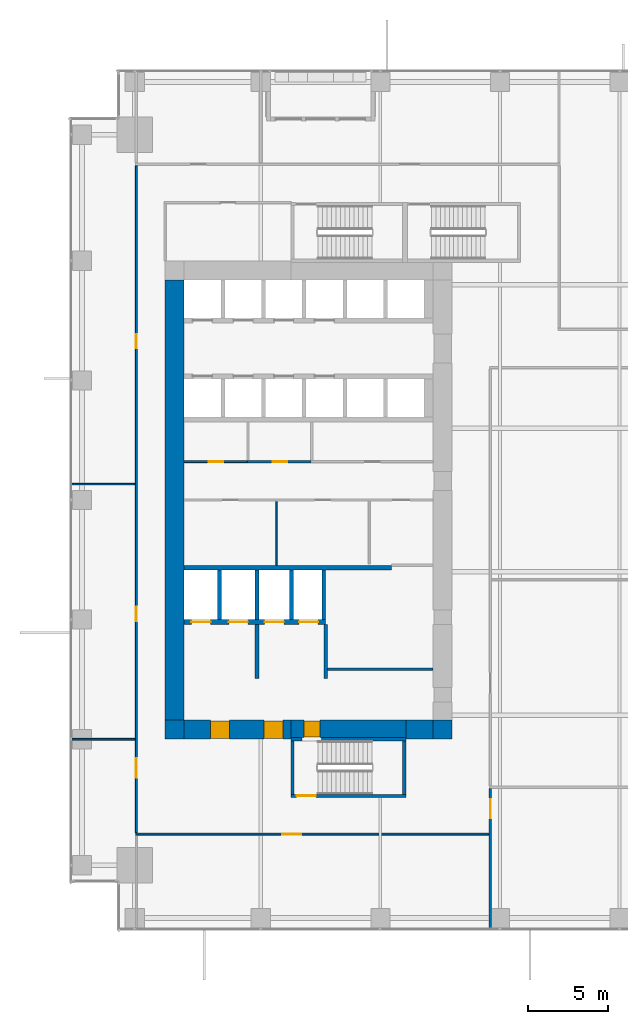
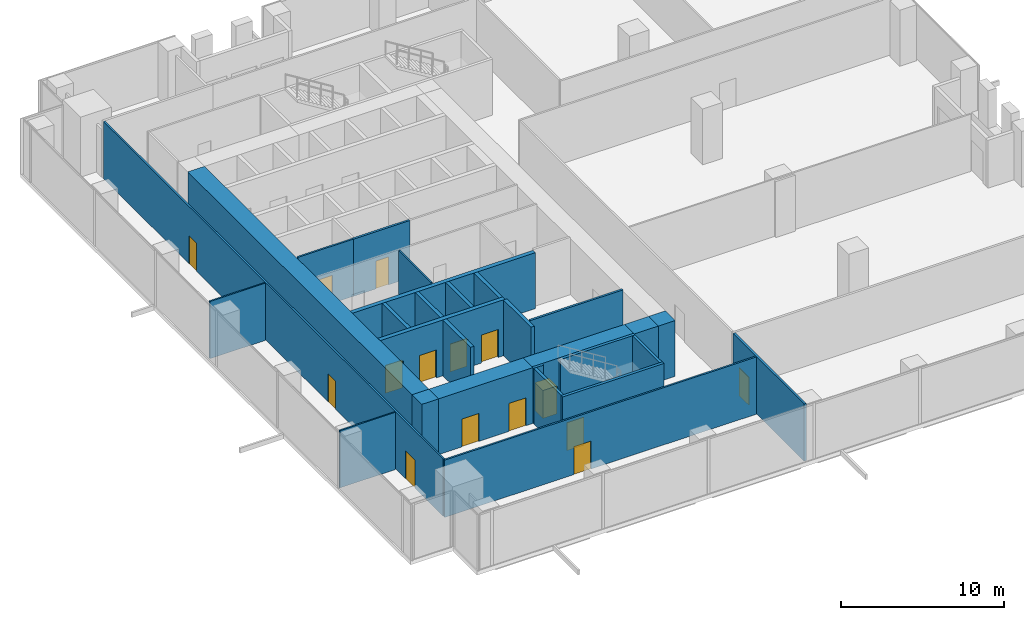
# One storey, part 27 of 33: 28 walls, 15 doors, 15 openings.
"""IFC4 building model written with IfcOpenShell, lengths in metres."""

from ifc_helpers import new_model, si_unit, direction, frame, frame_2d, origin, place, context, subcontext, project, spatial, rectangle, extrude, source, transform, mapped, material, layer, layer_set, type_object, element, fill, save


model = new_model("IFC4")

# Units and contexts
model_context = context("Model", 3, precision=1e-05, world=origin(), true_north=direction((0.0, 1.0)))
body_context = subcontext(model_context, "Body", "Model", "MODEL_VIEW")
ifc_project = project(units=[si_unit("LENGTHUNIT", "METRE"), si_unit("AREAUNIT", "SQUARE_METRE"), si_unit("VOLUMEUNIT", "CUBIC_METRE"), si_unit("PLANEANGLEUNIT", "RADIAN"), si_unit("MASSUNIT", "GRAM", prefix="KILO")], contexts=[model_context])

# Site, building, storey
site_placement = place(None, origin())
site = spatial("IfcSite", under=ifc_project, at=site_placement, CompositionType="ELEMENT")
building_placement = place(site_placement, origin())
building = spatial("IfcBuilding", under=site, at=building_placement, Name="Khomas Fold Tower", CompositionType="ELEMENT")
storey_placement = place(building_placement, frame((0.0, 0.0, 82.5)))
storey = spatial("IfcBuildingStorey", under=building, at=storey_placement, Name="L17", CompositionType="ELEMENT", Elevation=82.5)

# Wall, openings, doors
ifc_material_1 = material(Name="Concrete C70/85", Category="concrete")
ifc_layer_1 = layer(ifc_material_1, 1.199951171875)
ifc_layer_set_1 = layer_set([ifc_layer_1], Name="Concrete C70/85")
wall_type_1 = type_object("IfcWallType", Name="Core wall 1200", PredefinedType="SHEAR", material=ifc_layer_set_1)
shared_shape_1 = source(origin(), body_context, "Body", "SweptSolid", [
    extrude(rectangle(XDim=6.699951171875, YDim=1.199951171875, at=frame_2d((3.35009765625, 0.0))), origin(), (0.0, 0.0, 1.0), 4.199951171875),
])
wall_1_placement = place(storey_placement, frame((7.199951171875, 12.60009765625, 0.0), z_axis=(0.0, 0.0, 1.0), x_axis=(1.0, 0.0, 0.0)))
wall_1 = element("IfcWall", 1, at=wall_1_placement, inside=storey, type_object=wall_type_1, Name="Core wall CW-L-S-B2", PredefinedType="SHEAR", context=body_context, shape_type="MappedRepresentation", body=[
    mapped(shared_shape_1, transform((0.0, 0.0, 0.0))),
])
shared_shape_2 = source(origin(), body_context, "Body", "SweptSolid", [
    extrude(rectangle(XDim=1.199951171875, YDim=2.10009765625, at=frame_2d((0.60009765625, 1.050048828125))), frame((0.0, 0.60986328125, 0.0), z_axis=(0.0, -1.0, 0.0), x_axis=(1.0, 0.0, 0.0)), (0.0, 0.0, 1.0), 1.219970703125),
])
opening_1_placement = place(wall_1_placement, frame((5.0, 0.0, 0.0)))
opening_1 = element("IfcOpeningElement", 2, at=opening_1_placement, cuts=wall_1, Name="Opening 0009", PredefinedType="OPENING", context=body_context, shape_type="MappedRepresentation", body=[
    mapped(shared_shape_2, transform((0.0, 0.0, 0.0))),
])
opening_2_placement = place(wall_1_placement, frame((1.64990234375, 0.0, 0.0)))
opening_2 = element("IfcOpeningElement", 3, at=opening_2_placement, cuts=wall_1, Name="Opening 0009", PredefinedType="OPENING", context=body_context, shape_type="MappedRepresentation", body=[
    mapped(shared_shape_2, transform((0.0, 0.0, 0.0))),
])
ifc_material_2 = material(Name="Steel door leaf", Category="steel")
door_type_1 = type_object("IfcDoorType", Name="Lobby door 1200x2100 right-hand", OperationType="SINGLE_SWING_RIGHT", PredefinedType="DOOR", material=ifc_material_2)
shared_shape_3 = source(origin(), body_context, "Body", "SweptSolid", [
    extrude(rectangle(XDim=1.199951171875, YDim=2.10009765625, at=frame_2d((0.60009765625, 1.050048828125))), frame((0.0, 0.5498046875, 0.0), z_axis=(0.0, -1.0, 0.0), x_axis=(1.0, 0.0, 0.0)), (0.0, 0.0, 1.0), 1.099853515625),
])
door_1_placement = place(opening_1_placement, origin())
door_1 = element("IfcDoor", 4, at=door_1_placement, inside=storey, type_object=door_type_1, Name="Lobby door", OperationType="SINGLE_SWING_RIGHT", OverallHeight=2.10009765625, OverallWidth=1.199951171875, PredefinedType="DOOR", context=body_context, shape_type="MappedRepresentation", body=[
    mapped(shared_shape_3, transform((0.0, 0.0, 0.0))),
])
fill(opening_1, door_1)
door_2_placement = place(opening_2_placement, origin())
door_2 = element("IfcDoor", 5, at=door_2_placement, inside=storey, type_object=door_type_1, Name="Lobby door", OperationType="SINGLE_SWING_RIGHT", OverallHeight=2.10009765625, OverallWidth=1.199951171875, PredefinedType="DOOR", context=body_context, shape_type="MappedRepresentation", body=[
    mapped(shared_shape_3, transform((0.0, 0.0, 0.0))),
])
fill(opening_2, door_2)

# Walls
ifc_material_3 = material(Name="Concrete C70/85", Category="concrete")
ifc_layer_2 = layer(ifc_material_3, 1.199951171875)
ifc_layer_set_2 = layer_set([ifc_layer_2], Name="Concrete C70/85")
wall_type_2 = type_object("IfcWallType", Name="Core corner wall 1200", PredefinedType="SHEAR", material=ifc_layer_set_2)
shared_shape_4 = source(origin(), body_context, "Body", "SweptSolid", [
    extrude(rectangle(XDim=1.199951171875, YDim=1.199951171875, at=frame_2d((0.60009765625, 0.0))), origin(), (0.0, 0.0, 1.0), 4.199951171875),
])
for number, where, z_axis, x_axis, name in (
    (6, (22.800048828125, 12.60009765625, 0.0), (0.0, 0.0, 1.0), (1.0, 0.0, 0.0), "Core wall CW-L-SE-B2"),
    (7, (6.0, 12.60009765625, 0.0), (0.0, 0.0, 1.0), (1.0, 0.0, 0.0), "Core wall CW-L-SW-B2"),
):
    element("IfcWall", number, at=place(storey_placement, frame(where, z_axis=z_axis, x_axis=x_axis)), inside=storey, type_object=wall_type_2, Name=name, PredefinedType="SHEAR", context=body_context, shape_type="MappedRepresentation", body=[
        mapped(shared_shape_4, transform((0.0, 0.0, 0.0))),
    ])

# Wall, opening, door
ifc_material_4 = material(Name="Concrete C70/85", Category="concrete")
ifc_layer_3 = layer(ifc_material_4, 1.10009765625)
ifc_layer_set_3 = layer_set([ifc_layer_3], Name="Concrete C70/85")
wall_type_3 = type_object("IfcWallType", Name="Core wall 1100", PredefinedType="SHEAR", material=ifc_layer_set_3)
shared_shape_5 = source(origin(), body_context, "Body", "SweptSolid", [
    extrude(rectangle(XDim=7.2001953125, YDim=1.10009765625, at=frame_2d((3.60009765625, 0.0))), origin(), (0.0, 0.0, 1.0), 4.199951171875),
])
wall_2_placement = place(storey_placement, frame((13.89990234375, 12.64990234375, 0.0), z_axis=(0.0, 0.0, 1.0), x_axis=(1.0, 0.0, 0.0)))
wall_2 = element("IfcWall", 8, at=wall_2_placement, inside=storey, type_object=wall_type_3, Name="Core wall CW-L-S-B2-1", PredefinedType="SHEAR", context=body_context, shape_type="MappedRepresentation", body=[
    mapped(shared_shape_5, transform((0.0, 0.0, 0.0))),
])
shared_shape_6 = source(origin(), body_context, "Body", "SweptSolid", [
    extrude(rectangle(XDim=1.0, YDim=2.10009765625, at=frame_2d((0.5, 1.050048828125))), frame((0.0, 0.56005859375, 0.0), z_axis=(0.0, -1.0, 0.0), x_axis=(1.0, 0.0, 0.0)), (0.0, 0.0, 1.0), 1.1201171875),
])
opening_3_placement = place(wall_2_placement, frame((0.800048828125, 0.0, 0.0)))
opening_3 = element("IfcOpeningElement", 9, at=opening_3_placement, cuts=wall_2, Name="Opening 0010", PredefinedType="OPENING", context=body_context, shape_type="MappedRepresentation", body=[
    mapped(shared_shape_6, transform((0.0, 0.0, 0.0))),
])
ifc_material_5 = material(Name="Steel door leaf", Category="steel")
door_type_2 = type_object("IfcDoorType", Name="Stair door 1000x2100 right-hand", OperationType="SINGLE_SWING_RIGHT", PredefinedType="DOOR", material=ifc_material_5)
shared_shape_7 = source(origin(), body_context, "Body", "SweptSolid", [
    extrude(rectangle(XDim=1.0, YDim=2.10009765625, at=frame_2d((0.5, 1.050048828125))), frame((0.0, 0.5, 0.0), z_axis=(0.0, -1.0, 0.0), x_axis=(1.0, 0.0, 0.0)), (0.0, 0.0, 1.0), 1.0),
])
door_3_placement = place(opening_3_placement, origin())
door_3 = element("IfcDoor", 10, at=door_3_placement, inside=storey, type_object=door_type_2, Name="Stair door", OperationType="SINGLE_SWING_RIGHT", OverallHeight=2.10009765625, OverallWidth=1.0, PredefinedType="DOOR", context=body_context, shape_type="MappedRepresentation", body=[
    mapped(shared_shape_7, transform((0.0, 0.0, 0.0))),
])
fill(opening_3, door_3)

# Walls
shared_shape_8 = source(origin(), body_context, "Body", "SweptSolid", [
    extrude(rectangle(XDim=1.699951171875, YDim=1.199951171875, at=frame_2d((0.85009765625, 0.0))), origin(), (0.0, 0.0, 1.0), 4.199951171875),
])
wall_3_placement = place(storey_placement, frame((21.10009765625, 12.60009765625, 0.0), z_axis=(0.0, 0.0, 1.0), x_axis=(1.0, 0.0, 0.0)))
element("IfcWall", 11, at=wall_3_placement, inside=storey, type_object=wall_type_1, Name="Core wall CW-L-S-B2-2", PredefinedType="SHEAR", context=body_context, shape_type="MappedRepresentation", body=[
    mapped(shared_shape_8, transform((0.0, 0.0, 0.0))),
])
shared_shape_9 = source(origin(), body_context, "Body", "SweptSolid", [
    extrude(rectangle(XDim=27.60009765625, YDim=1.199951171875, at=frame_2d((13.800048828125, 0.0))), origin(), (0.0, 0.0, 1.0), 4.199951171875),
])
wall_4_placement = place(storey_placement, frame((6.60009765625, 13.199951171875, 0.0), z_axis=(0.0, 0.0, 1.0), x_axis=(0.0, 1.0, 0.0)))
element("IfcWall", 12, at=wall_4_placement, inside=storey, type_object=wall_type_1, Name="Core wall CW-L-W-B2", PredefinedType="SHEAR", context=body_context, shape_type="MappedRepresentation", body=[
    mapped(shared_shape_9, transform((0.0, 0.0, 0.0))),
])
ifc_material_6 = material(Name="Concrete C50/60", Category="concrete")
ifc_layer_4 = layer(ifc_material_6, 0.199951171875)
ifc_layer_set_4 = layer_set([ifc_layer_4], Name="Concrete C50/60")
wall_type_4 = type_object("IfcWallType", Name="Stair wall 200", PredefinedType="SHEAR", material=ifc_layer_set_4)
shared_shape_10 = source(origin(), body_context, "Body", "SweptSolid", [
    extrude(rectangle(XDim=0.7001953125, YDim=0.199951171875, at=frame_2d((0.35009765625, 0.0))), origin(), (0.0, 0.0, 1.0), 4.199951171875),
])
wall_5_placement = place(storey_placement, frame((13.89990234375, 12.0, 0.0), z_axis=(0.0, 0.0, 1.0), x_axis=(1.0, 0.0, 0.0)))
element("IfcWall", 13, at=wall_5_placement, inside=storey, type_object=wall_type_4, Name="Stair wall SW-ST2-N", PredefinedType="SHEAR", context=body_context, shape_type="MappedRepresentation", body=[
    mapped(shared_shape_10, transform((0.0, 0.0, 0.0))),
])
shared_shape_11 = source(origin(), body_context, "Body", "SweptSolid", [
    extrude(rectangle(XDim=5.300048828125, YDim=0.199951171875, at=frame_2d((2.64990234375, 0.0))), origin(), (0.0, 0.0, 1.0), 4.199951171875),
])
wall_6_placement = place(storey_placement, frame((15.800048828125, 12.0, 0.0), z_axis=(0.0, 0.0, 1.0), x_axis=(1.0, 0.0, 0.0)))
element("IfcWall", 14, at=wall_6_placement, inside=storey, type_object=wall_type_4, Name="Stair wall SW-ST2-NB", PredefinedType="SHEAR", context=body_context, shape_type="MappedRepresentation", body=[
    mapped(shared_shape_11, transform((0.0, 0.0, 0.0))),
])

# Wall, opening, door
shared_shape_12 = source(origin(), body_context, "Body", "SweptSolid", [
    extrude(rectangle(XDim=7.2001953125, YDim=0.199951171875, at=frame_2d((3.60009765625, 0.0))), origin(), (0.0, 0.0, 1.0), 4.199951171875),
])
wall_7_placement = place(storey_placement, frame((13.89990234375, 8.449951171875, 0.0), z_axis=(0.0, 0.0, 1.0), x_axis=(1.0, 0.0, 0.0)))
wall_7 = element("IfcWall", 15, at=wall_7_placement, inside=storey, type_object=wall_type_4, Name="Stair wall SW-ST2-S", PredefinedType="SHEAR", context=body_context, shape_type="MappedRepresentation", body=[
    mapped(shared_shape_12, transform((0.0, 0.0, 0.0))),
])
shared_shape_13 = source(origin(), body_context, "Body", "SweptSolid", [
    extrude(rectangle(XDim=1.199951171875, YDim=2.10009765625, at=frame_2d((0.60009765625, 1.050048828125))), frame((0.0, 0.10986328125, 0.0), z_axis=(0.0, -1.0, 0.0), x_axis=(1.0, 0.0, 0.0)), (0.0, 0.0, 1.0), 0.219970703125),
])
opening_4_placement = place(wall_7_placement, frame((0.35009765625, 0.0, 0.0)))
opening_4 = element("IfcOpeningElement", 16, at=opening_4_placement, cuts=wall_7, Name="Opening SD-ST2", PredefinedType="OPENING", context=body_context, shape_type="MappedRepresentation", body=[
    mapped(shared_shape_13, transform((0.0, 0.0, 0.0))),
])
ifc_material_7 = material(Name="Steel door leaf", Category="steel")
door_type_3 = type_object("IfcDoorType", Name="Stair door 1200x2100 right-hand", OperationType="SINGLE_SWING_RIGHT", PredefinedType="DOOR", material=ifc_material_7)
shared_shape_14 = source(origin(), body_context, "Body", "SweptSolid", [
    extrude(rectangle(XDim=1.199951171875, YDim=2.10009765625, at=frame_2d((0.60009765625, 1.050048828125))), frame((0.0, 0.02490234375, 0.0), z_axis=(0.0, -1.0, 0.0), x_axis=(1.0, 0.0, 0.0)), (0.0, 0.0, 1.0), 0.050048828125),
])
door_4_placement = place(opening_4_placement, origin())
door_4 = element("IfcDoor", 17, at=door_4_placement, inside=storey, type_object=door_type_3, Name="Stair door", OperationType="SINGLE_SWING_RIGHT", OverallHeight=2.10009765625, OverallWidth=1.199951171875, PredefinedType="DOOR", context=body_context, shape_type="MappedRepresentation", body=[
    mapped(shared_shape_14, transform((0.0, 0.0, 0.0))),
])
fill(opening_4, door_4)

# Walls
shared_shape_15 = source(origin(), body_context, "Body", "SweptSolid", [
    extrude(rectangle(XDim=3.349853515625, YDim=0.199951171875, at=frame_2d((1.6748046875, 0.0))), origin(), (0.0, 0.0, 1.0), 4.199951171875),
])
for number, where, z_axis, x_axis, name in (
    (18, (21.0, 8.550048828125, 0.0), (0.0, 0.0, 1.0), (0.0, 1.0, 0.0), "Stair wall SW-ST2-E"),
    (19, (14.0, 8.550048828125, 0.0), (0.0, 0.0, 1.0), (0.0, 1.0, 0.0), "Stair wall SW-ST2-W"),
):
    element("IfcWall", number, at=place(storey_placement, frame(where, z_axis=z_axis, x_axis=x_axis)), inside=storey, type_object=wall_type_4, Name=name, PredefinedType="SHEAR", context=body_context, shape_type="MappedRepresentation", body=[
        mapped(shared_shape_15, transform((0.0, 0.0, 0.0))),
    ])
ifc_material_8 = material(Name="Concrete C50/60", Category="concrete")
ifc_layer_5 = layer(ifc_material_8, 0.300048828125)
ifc_layer_set_5 = layer_set([ifc_layer_5], Name="Concrete C50/60")
wall_type_5 = type_object("IfcWallType", Name="Shaft wall 300", PredefinedType="STANDARD", material=ifc_layer_set_5)
shared_shape_16 = source(origin(), body_context, "Body", "SweptSolid", [
    extrude(rectangle(XDim=13.0, YDim=0.300048828125, at=frame_2d((6.5, 0.0))), origin(), (0.0, 0.0, 1.0), 4.199951171875),
])
wall_8_placement = place(storey_placement, frame((7.199951171875, 22.75, 0.0), z_axis=(0.0, 0.0, 1.0), x_axis=(1.0, 0.0, 0.0)))
element("IfcWall", 20, at=wall_8_placement, inside=storey, type_object=wall_type_5, Name="Core wall SW-FS-B", PredefinedType="STANDARD", context=body_context, shape_type="MappedRepresentation", body=[
    mapped(shared_shape_16, transform((0.0, 0.0, 0.0))),
])

# Wall, openings, doors
shared_shape_17 = source(origin(), body_context, "Body", "SweptSolid", [
    extrude(rectangle(XDim=8.875, YDim=0.300048828125, at=frame_2d((4.4375, 0.0))), origin(), (0.0, 0.0, 1.0), 4.199951171875),
])
wall_9_placement = place(storey_placement, frame((7.199951171875, 19.35009765625, 0.0), z_axis=(0.0, 0.0, 1.0), x_axis=(1.0, 0.0, 0.0)))
wall_9 = element("IfcWall", 21, at=wall_9_placement, inside=storey, type_object=wall_type_5, Name="Core wall SW-FS-F", PredefinedType="STANDARD", context=body_context, shape_type="MappedRepresentation", body=[
    mapped(shared_shape_17, transform((0.0, 0.0, 0.0))),
])
shared_shape_18 = source(origin(), body_context, "Body", "SweptSolid", [
    extrude(rectangle(XDim=1.199951171875, YDim=2.10009765625, at=frame_2d((0.60009765625, 1.050048828125))), frame((0.0, 0.159912109375, 0.0), z_axis=(0.0, -1.0, 0.0), x_axis=(1.0, 0.0, 0.0)), (0.0, 0.0, 1.0), 0.320068359375),
])
opening_5_placement = place(wall_9_placement, frame((0.449951171875, 0.0, 0.0)))
opening_5 = element("IfcOpeningElement", 22, at=opening_5_placement, cuts=wall_9, Name="Opening LD-SV1", PredefinedType="OPENING", context=body_context, shape_type="MappedRepresentation", body=[
    mapped(shared_shape_18, transform((0.0, 0.0, 0.0))),
])
opening_6_placement = place(wall_9_placement, frame((2.800048828125, 0.0, 0.0)))
opening_6 = element("IfcOpeningElement", 23, at=opening_6_placement, cuts=wall_9, Name="Opening LD-SV2", PredefinedType="OPENING", context=body_context, shape_type="MappedRepresentation", body=[
    mapped(shared_shape_18, transform((0.0, 0.0, 0.0))),
])
opening_7_placement = place(wall_9_placement, frame((5.050048828125, 0.0, 0.0)))
opening_7 = element("IfcOpeningElement", 24, at=opening_7_placement, cuts=wall_9, Name="Opening LD-FF1", PredefinedType="OPENING", context=body_context, shape_type="MappedRepresentation", body=[
    mapped(shared_shape_18, transform((0.0, 0.0, 0.0))),
])
opening_8_placement = place(wall_9_placement, frame((7.199951171875, 0.0, 0.0)))
opening_8 = element("IfcOpeningElement", 25, at=opening_8_placement, cuts=wall_9, Name="Opening LD-FF2", PredefinedType="OPENING", context=body_context, shape_type="MappedRepresentation", body=[
    mapped(shared_shape_18, transform((0.0, 0.0, 0.0))),
])
ifc_material_9 = material(Name="Steel door leaf", Category="steel")
door_type_4 = type_object("IfcDoorType", Name="Landing door 1200x2100", OperationType="DOUBLE_DOOR_SLIDING", PredefinedType="DOOR", material=ifc_material_9)
door_5_placement = place(opening_5_placement, origin())
door_5 = element("IfcDoor", 26, at=door_5_placement, inside=storey, type_object=door_type_4, Name="Lift landing door", OperationType="DOUBLE_DOOR_SLIDING", OverallHeight=2.10009765625, OverallWidth=1.199951171875, PredefinedType="DOOR", context=body_context, shape_type="MappedRepresentation", body=[
    mapped(shared_shape_14, transform((0.0, 0.0, 0.0))),
])
fill(opening_5, door_5)
door_6_placement = place(opening_6_placement, origin())
door_6 = element("IfcDoor", 27, at=door_6_placement, inside=storey, type_object=door_type_4, Name="Lift landing door", OperationType="DOUBLE_DOOR_SLIDING", OverallHeight=2.10009765625, OverallWidth=1.199951171875, PredefinedType="DOOR", context=body_context, shape_type="MappedRepresentation", body=[
    mapped(shared_shape_14, transform((0.0, 0.0, 0.0))),
])
fill(opening_6, door_6)
door_7_placement = place(opening_7_placement, origin())
door_7 = element("IfcDoor", 28, at=door_7_placement, inside=storey, type_object=door_type_4, Name="Lift landing door", OperationType="DOUBLE_DOOR_SLIDING", OverallHeight=2.10009765625, OverallWidth=1.199951171875, PredefinedType="DOOR", context=body_context, shape_type="MappedRepresentation", body=[
    mapped(shared_shape_14, transform((0.0, 0.0, 0.0))),
])
fill(opening_7, door_7)
door_8_placement = place(opening_8_placement, origin())
door_8 = element("IfcDoor", 29, at=door_8_placement, inside=storey, type_object=door_type_4, Name="Lift landing door", OperationType="DOUBLE_DOOR_SLIDING", OverallHeight=2.10009765625, OverallWidth=1.199951171875, PredefinedType="DOOR", context=body_context, shape_type="MappedRepresentation", body=[
    mapped(shared_shape_14, transform((0.0, 0.0, 0.0))),
])
fill(opening_8, door_8)

# Walls
ifc_material_10 = material(Name="Concrete C50/60", Category="concrete")
ifc_layer_6 = layer(ifc_material_10, 0.25)
ifc_layer_set_6 = layer_set([ifc_layer_6], Name="Concrete C50/60")
wall_type_6 = type_object("IfcWallType", Name="Shaft wall 250", PredefinedType="STANDARD", material=ifc_layer_set_6)
shared_shape_19 = source(origin(), body_context, "Body", "SweptSolid", [
    extrude(rectangle(XDim=3.10009765625, YDim=0.25, at=frame_2d((1.550048828125, 0.0))), origin(), (0.0, 0.0, 1.0), 4.199951171875),
])
for number, where, z_axis, x_axis, name in (
    (30, (9.425048828125, 19.5, 0.0), (0.0, 0.0, 1.0), (0.0, 1.0, 0.0), "Core wall SW-FS-P1"),
    (31, (11.77490234375, 19.5, 0.0), (0.0, 0.0, 1.0), (0.0, 1.0, 0.0), "Core wall SW-FS-P2"),
    (32, (13.925048828125, 19.5, 0.0), (0.0, 0.0, 1.0), (0.0, 1.0, 0.0), "Core wall SW-FS-P3"),
    (33, (15.949951171875, 19.5, 0.0), (0.0, 0.0, 1.0), (0.0, 1.0, 0.0), "Core wall SW-FS-PE"),
):
    element("IfcWall", number, at=place(storey_placement, frame(where, z_axis=z_axis, x_axis=x_axis)), inside=storey, type_object=wall_type_6, Name=name, PredefinedType="STANDARD", context=body_context, shape_type="MappedRepresentation", body=[
        mapped(shared_shape_19, transform((0.0, 0.0, 0.0))),
    ])
ifc_material_11 = material(Name="Concrete C50/60", Category="concrete")
ifc_layer_7 = layer(ifc_material_11, 0.25)
ifc_layer_set_7 = layer_set([ifc_layer_7], Name="Concrete C50/60")
wall_type_7 = type_object("IfcWallType", Name="Lobby wall 250", PredefinedType="STANDARD", material=ifc_layer_set_7)
shared_shape_20 = source(origin(), body_context, "Body", "SweptSolid", [
    extrude(rectangle(XDim=3.39990234375, YDim=0.25, at=frame_2d((1.699951171875, 0.0))), origin(), (0.0, 0.0, 1.0), 4.199951171875),
])
for number, where, z_axis, x_axis, name in (
    (34, (16.074951171875, 15.800048828125, 0.0), (0.0, 0.0, 1.0), (0.0, 1.0, 0.0), "Core wall SW-FS-LOB-E"),
    (35, (11.77490234375, 15.800048828125, 0.0), (0.0, 0.0, 1.0), (0.0, 1.0, 0.0), "Core wall SW-FS-SEP"),
):
    element("IfcWall", number, at=place(storey_placement, frame(where, z_axis=z_axis, x_axis=x_axis)), inside=storey, type_object=wall_type_7, Name=name, PredefinedType="STANDARD", context=body_context, shape_type="MappedRepresentation", body=[
        mapped(shared_shape_20, transform((0.0, 0.0, 0.0))),
    ])

# Wall, opening, door
ifc_material_12 = material(Name="Plasterboard partition")
ifc_layer_8 = layer(ifc_material_12, 0.125)
ifc_layer_set_8 = layer_set([ifc_layer_8], Name="Plasterboard partition")
wall_type_8 = type_object("IfcWallType", Name="Partition PW2 125", PredefinedType="PARTITIONING", material=ifc_layer_set_8)
shared_shape_21 = source(origin(), body_context, "Body", "SweptSolid", [
    extrude(rectangle(XDim=22.150146484375, YDim=0.125, at=frame_2d((11.0751953125, 0.0))), origin(), (0.0, 0.0, 1.0), 4.300048828125),
])
wall_10_placement = place(storey_placement, frame((4.14990234375, 6.050048828125, 0.0), z_axis=(0.0, 0.0, 1.0), x_axis=(1.0, 0.0, 0.0)))
wall_10 = element("IfcWall", 36, at=wall_10_placement, inside=storey, type_object=wall_type_8, Name="Partition", PredefinedType="PARTITIONING", context=body_context, shape_type="MappedRepresentation", body=[
    mapped(shared_shape_21, transform((0.0, 0.0, 0.0))),
])
shared_shape_22 = source(origin(), body_context, "Body", "SweptSolid", [
    extrude(rectangle(XDim=1.199951171875, YDim=2.10009765625, at=frame_2d((0.60009765625, 1.050048828125))), frame((0.0, 0.072509765625, 0.0), z_axis=(0.0, -1.0, 0.0), x_axis=(1.0, 0.0, 0.0)), (0.0, 0.0, 1.0), 0.14501953125),
])
opening_9_placement = place(wall_10_placement, frame((9.199951171875, 0.0, 0.0)))
opening_9 = element("IfcOpeningElement", 37, at=opening_9_placement, cuts=wall_10, Name="Opening 0013", PredefinedType="OPENING", context=body_context, shape_type="MappedRepresentation", body=[
    mapped(shared_shape_22, transform((0.0, 0.0, 0.0))),
])
ifc_material_13 = material(Name="Timber door leaf", Category="wood")
door_type_5 = type_object("IfcDoorType", Name="Door 1200x2100 left-hand", OperationType="SINGLE_SWING_LEFT", PredefinedType="DOOR", material=ifc_material_13)
door_9_placement = place(opening_9_placement, origin())
door_9 = element("IfcDoor", 38, at=door_9_placement, inside=storey, type_object=door_type_5, Name="Door", OperationType="SINGLE_SWING_LEFT", OverallHeight=2.10009765625, OverallWidth=1.199951171875, PredefinedType="DOOR", context=body_context, shape_type="MappedRepresentation", body=[
    mapped(shared_shape_14, transform((0.0, 0.0, 0.0))),
])
fill(opening_9, door_9)

# Walls
ifc_material_14 = material(Name="Plasterboard partition")
ifc_layer_9 = layer(ifc_material_14, 0.10009765625)
ifc_layer_set_9 = layer_set([ifc_layer_9], Name="Plasterboard partition")
wall_type_9 = type_object("IfcWallType", Name="Partition PW1 100", PredefinedType="PARTITIONING", material=ifc_layer_set_9)
shared_shape_23 = source(origin(), body_context, "Body", "SweptSolid", [
    extrude(rectangle(XDim=3.9501953125, YDim=0.10009765625, at=frame_2d((1.97509765625, 0.0))), origin(), (0.0, 0.0, 1.0), 4.300048828125),
])
for number, where, z_axis, x_axis, name in (
    (39, (0.14990234375, 12.0, 0.0), (0.0, 0.0, 1.0), (1.0, 0.0, 0.0), "Partition"),
    (40, (0.14990234375, 28.0, 0.0), (0.0, 0.0, 1.0), (1.0, 0.0, 0.0), "Partition"),
):
    element("IfcWall", number, at=place(storey_placement, frame(where, z_axis=z_axis, x_axis=x_axis)), inside=storey, type_object=wall_type_9, Name=name, PredefinedType="PARTITIONING", context=body_context, shape_type="MappedRepresentation", body=[
        mapped(shared_shape_23, transform((0.0, 0.0, 0.0))),
    ])
ifc_material_15 = material(Name="Plasterboard fire partition")
ifc_layer_10 = layer(ifc_material_15, 0.14990234375)
ifc_layer_set_10 = layer_set([ifc_layer_10], Name="Plasterboard fire partition")
wall_type_10 = type_object("IfcWallType", Name="Plant room wall PW3 150", PredefinedType="PARTITIONING", material=ifc_layer_set_10)
shared_shape_24 = source(origin(), body_context, "Body", "SweptSolid", [
    extrude(rectangle(XDim=6.60009765625, YDim=0.14990234375, at=frame_2d((3.300048828125, 0.0))), origin(), (0.0, 0.0, 1.0), 4.300048828125),
])
wall_11_placement = place(storey_placement, frame((16.199951171875, 16.39990234375, 0.0), z_axis=(0.0, 0.0, 1.0), x_axis=(1.0, 0.0, 0.0)))
element("IfcWall", 41, at=wall_11_placement, inside=storey, type_object=wall_type_10, Name="Plant room wall", PredefinedType="PARTITIONING", context=body_context, shape_type="MappedRepresentation", body=[
    mapped(shared_shape_24, transform((0.0, 0.0, 0.0))),
])

# Wall, openings, doors
shared_shape_25 = source(origin(), body_context, "Body", "SweptSolid", [
    extrude(rectangle(XDim=41.800048828125, YDim=0.125, at=frame_2d((20.89990234375, 0.0))), origin(), (0.0, 0.0, 1.0), 4.300048828125),
])
wall_12_placement = place(storey_placement, frame((4.199951171875, 6.14990234375, 0.0), z_axis=(0.0, 0.0, 1.0), x_axis=(0.0, 1.0, 0.0)))
wall_12 = element("IfcWall", 42, at=wall_12_placement, inside=storey, type_object=wall_type_8, Name="Partition", PredefinedType="PARTITIONING", context=body_context, shape_type="MappedRepresentation", body=[
    mapped(shared_shape_25, transform((0.0, 0.0, 0.0))),
])
opening_10_placement = place(wall_12_placement, frame((3.449951171875, 0.0, 0.0)))
opening_10 = element("IfcOpeningElement", 43, at=opening_10_placement, cuts=wall_12, Name="Opening 0001", PredefinedType="OPENING", context=body_context, shape_type="MappedRepresentation", body=[
    mapped(shared_shape_22, transform((0.0, 0.0, 0.0))),
])
shared_shape_26 = source(origin(), body_context, "Body", "SweptSolid", [
    extrude(rectangle(XDim=0.89990234375, YDim=2.10009765625, at=frame_2d((0.449951171875, 1.050048828125))), frame((0.0, 0.072509765625, 0.0), z_axis=(0.0, -1.0, 0.0), x_axis=(1.0, 0.0, 0.0)), (0.0, 0.0, 1.0), 0.14501953125),
])
opening_11_placement = place(wall_12_placement, frame((13.25, 0.0, 0.0)))
opening_11 = element("IfcOpeningElement", 44, at=opening_11_placement, cuts=wall_12, Name="Opening 0008", PredefinedType="OPENING", context=body_context, shape_type="MappedRepresentation", body=[
    mapped(shared_shape_26, transform((0.0, 0.0, 0.0))),
])
opening_12_placement = place(wall_12_placement, frame((30.35009765625, 0.0, 0.0)))
opening_12 = element("IfcOpeningElement", 45, at=opening_12_placement, cuts=wall_12, Name="Opening 0007", PredefinedType="OPENING", context=body_context, shape_type="MappedRepresentation", body=[
    mapped(shared_shape_26, transform((0.0, 0.0, 0.0))),
])
ifc_material_16 = material(Name="Timber door leaf", Category="wood")
door_type_6 = type_object("IfcDoorType", Name="Door 900x2100 right-hand", OperationType="SINGLE_SWING_RIGHT", PredefinedType="DOOR", material=ifc_material_16)
shared_shape_27 = source(origin(), body_context, "Body", "SweptSolid", [
    extrude(rectangle(XDim=0.89990234375, YDim=2.10009765625, at=frame_2d((0.449951171875, 1.050048828125))), frame((0.0, 0.02490234375, 0.0), z_axis=(0.0, -1.0, 0.0), x_axis=(1.0, 0.0, 0.0)), (0.0, 0.0, 1.0), 0.050048828125),
])
door_10_placement = place(opening_11_placement, origin())
door_10 = element("IfcDoor", 46, at=door_10_placement, inside=storey, type_object=door_type_6, Name="Door", OperationType="SINGLE_SWING_RIGHT", OverallHeight=2.10009765625, OverallWidth=0.89990234375, PredefinedType="DOOR", context=body_context, shape_type="MappedRepresentation", body=[
    mapped(shared_shape_27, transform((0.0, 0.0, 0.0))),
])
fill(opening_11, door_10)
ifc_material_17 = material(Name="Timber door leaf", Category="wood")
door_type_7 = type_object("IfcDoorType", Name="Door 900x2100 left-hand", OperationType="SINGLE_SWING_LEFT", PredefinedType="DOOR", material=ifc_material_17)
door_11_placement = place(opening_12_placement, origin())
door_11 = element("IfcDoor", 47, at=door_11_placement, inside=storey, type_object=door_type_7, Name="Door", OperationType="SINGLE_SWING_LEFT", OverallHeight=2.10009765625, OverallWidth=0.89990234375, PredefinedType="DOOR", context=body_context, shape_type="MappedRepresentation", body=[
    mapped(shared_shape_27, transform((0.0, 0.0, 0.0))),
])
fill(opening_12, door_11)
ifc_material_18 = material(Name="Timber door leaf", Category="wood")
door_type_8 = type_object("IfcDoorType", Name="Door 1200x2100 right-hand", OperationType="SINGLE_SWING_RIGHT", PredefinedType="DOOR", material=ifc_material_18)
door_12_placement = place(opening_10_placement, origin())
door_12 = element("IfcDoor", 48, at=door_12_placement, inside=storey, type_object=door_type_8, Name="Door", OperationType="SINGLE_SWING_RIGHT", OverallHeight=2.10009765625, OverallWidth=1.199951171875, PredefinedType="DOOR", context=body_context, shape_type="MappedRepresentation", body=[
    mapped(shared_shape_14, transform((0.0, 0.0, 0.0))),
])
fill(opening_10, door_12)

# Wall, opening, door
shared_shape_28 = source(origin(), body_context, "Body", "SweptSolid", [
    extrude(rectangle(XDim=8.75, YDim=0.14990234375, at=frame_2d((4.375, 0.0))), origin(), (0.0, 0.0, 1.0), 4.300048828125),
])
wall_13_placement = place(storey_placement, frame((26.39990234375, 0.14990234375, 0.0), z_axis=(0.0, 0.0, 1.0), x_axis=(0.0, 1.0, 0.0)))
wall_13 = element("IfcWall", 49, at=wall_13_placement, inside=storey, type_object=wall_type_10, Name="Plant room wall", PredefinedType="PARTITIONING", context=body_context, shape_type="MappedRepresentation", body=[
    mapped(shared_shape_28, transform((0.0, 0.0, 0.0))),
])
shared_shape_29 = source(origin(), body_context, "Body", "SweptSolid", [
    extrude(rectangle(XDim=1.199951171875, YDim=2.10009765625, at=frame_2d((0.60009765625, 1.050048828125))), frame((0.0, 0.0849609375, 0.0), z_axis=(0.0, -1.0, 0.0), x_axis=(1.0, 0.0, 0.0)), (0.0, 0.0, 1.0), 0.169921875),
])
opening_13_placement = place(wall_13_placement, frame((6.89990234375, 0.0, 0.0)))
opening_13 = element("IfcOpeningElement", 50, at=opening_13_placement, cuts=wall_13, Name="Opening 0011", PredefinedType="OPENING", context=body_context, shape_type="MappedRepresentation", body=[
    mapped(shared_shape_29, transform((0.0, 0.0, 0.0))),
])
ifc_material_19 = material(Name="Steel door leaf", Category="steel")
door_type_9 = type_object("IfcDoorType", Name="Plant room door 1200x2100 right-hand", OperationType="SINGLE_SWING_RIGHT", PredefinedType="DOOR", material=ifc_material_19)
door_13_placement = place(opening_13_placement, origin())
door_13 = element("IfcDoor", 51, at=door_13_placement, inside=storey, type_object=door_type_9, Name="Plant room door", OperationType="SINGLE_SWING_RIGHT", OverallHeight=2.10009765625, OverallWidth=1.199951171875, PredefinedType="DOOR", context=body_context, shape_type="MappedRepresentation", body=[
    mapped(shared_shape_14, transform((0.0, 0.0, 0.0))),
])
fill(opening_13, door_13)

# Wall
shared_shape_30 = source(origin(), body_context, "Body", "SweptSolid", [
    extrude(rectangle(XDim=4.0, YDim=0.10009765625, at=frame_2d((2.0, 0.0))), origin(), (0.0, 0.0, 1.0), 4.300048828125),
])
wall_14_placement = place(storey_placement, frame((13.0, 22.89990234375, 0.0), z_axis=(0.0, 0.0, 1.0), x_axis=(0.0, 1.0, 0.0)))
element("IfcWall", 52, at=wall_14_placement, inside=storey, type_object=wall_type_9, Name="Partition", PredefinedType="PARTITIONING", context=body_context, shape_type="MappedRepresentation", body=[
    mapped(shared_shape_30, transform((0.0, 0.0, 0.0))),
])

# Wall, opening, door
shared_shape_31 = source(origin(), body_context, "Body", "SweptSolid", [
    extrude(rectangle(XDim=3.949951171875, YDim=0.125, at=frame_2d((1.97509765625, 0.0))), origin(), (0.0, 0.0, 1.0), 4.300048828125),
])
wall_15_placement = place(storey_placement, frame((7.199951171875, 29.39990234375, 0.0), z_axis=(0.0, 0.0, 1.0), x_axis=(1.0, 0.0, 0.0)))
wall_15 = element("IfcWall", 53, at=wall_15_placement, inside=storey, type_object=wall_type_8, Name="Partition", PredefinedType="PARTITIONING", context=body_context, shape_type="MappedRepresentation", body=[
    mapped(shared_shape_31, transform((0.0, 0.0, 0.0))),
])
opening_14_placement = place(wall_15_placement, frame((1.550048828125, 0.0, 0.0)))
opening_14 = element("IfcOpeningElement", 54, at=opening_14_placement, cuts=wall_15, Name="Opening 0007", PredefinedType="OPENING", context=body_context, shape_type="MappedRepresentation", body=[
    mapped(shared_shape_26, transform((0.0, 0.0, 0.0))),
])
door_14_placement = place(opening_14_placement, origin())
door_14 = element("IfcDoor", 55, at=door_14_placement, inside=storey, type_object=door_type_7, Name="Door", OperationType="SINGLE_SWING_LEFT", OverallHeight=2.10009765625, OverallWidth=0.89990234375, PredefinedType="DOOR", context=body_context, shape_type="MappedRepresentation", body=[
    mapped(shared_shape_27, transform((0.0, 0.0, 0.0))),
])
fill(opening_14, door_14)

shared_shape_32 = source(origin(), body_context, "Body", "SweptSolid", [
    extrude(rectangle(XDim=4.0, YDim=0.14990234375, at=frame_2d((2.0, 0.0))), origin(), (0.0, 0.0, 1.0), 4.300048828125),
])
wall_16_placement = place(storey_placement, frame((11.14990234375, 29.39990234375, 0.0), z_axis=(0.0, 0.0, 1.0), x_axis=(1.0, 0.0, 0.0)))
wall_16 = element("IfcWall", 56, at=wall_16_placement, inside=storey, type_object=wall_type_10, Name="Plant room wall", PredefinedType="PARTITIONING", context=body_context, shape_type="MappedRepresentation", body=[
    mapped(shared_shape_32, transform((0.0, 0.0, 0.0))),
])
shared_shape_33 = source(origin(), body_context, "Body", "SweptSolid", [
    extrude(rectangle(XDim=0.89990234375, YDim=2.10009765625, at=frame_2d((0.449951171875, 1.050048828125))), frame((0.0, 0.0849609375, 0.0), z_axis=(0.0, -1.0, 0.0), x_axis=(1.0, 0.0, 0.0)), (0.0, 0.0, 1.0), 0.169921875),
])
opening_15_placement = place(wall_16_placement, frame((1.60009765625, 0.0, 0.0)))
opening_15 = element("IfcOpeningElement", 57, at=opening_15_placement, cuts=wall_16, Name="Opening 0003", PredefinedType="OPENING", context=body_context, shape_type="MappedRepresentation", body=[
    mapped(shared_shape_33, transform((0.0, 0.0, 0.0))),
])
ifc_material_20 = material(Name="Steel door leaf", Category="steel")
door_type_10 = type_object("IfcDoorType", Name="Plant room door 900x2100 right-hand", OperationType="SINGLE_SWING_RIGHT", PredefinedType="DOOR", material=ifc_material_20)
door_15_placement = place(opening_15_placement, origin())
door_15 = element("IfcDoor", 58, at=door_15_placement, inside=storey, type_object=door_type_10, Name="Plant room door", OperationType="SINGLE_SWING_RIGHT", OverallHeight=2.10009765625, OverallWidth=0.89990234375, PredefinedType="DOOR", context=body_context, shape_type="MappedRepresentation", body=[
    mapped(shared_shape_27, transform((0.0, 0.0, 0.0))),
])
fill(opening_15, door_15)

save(model, "model.ifc")
